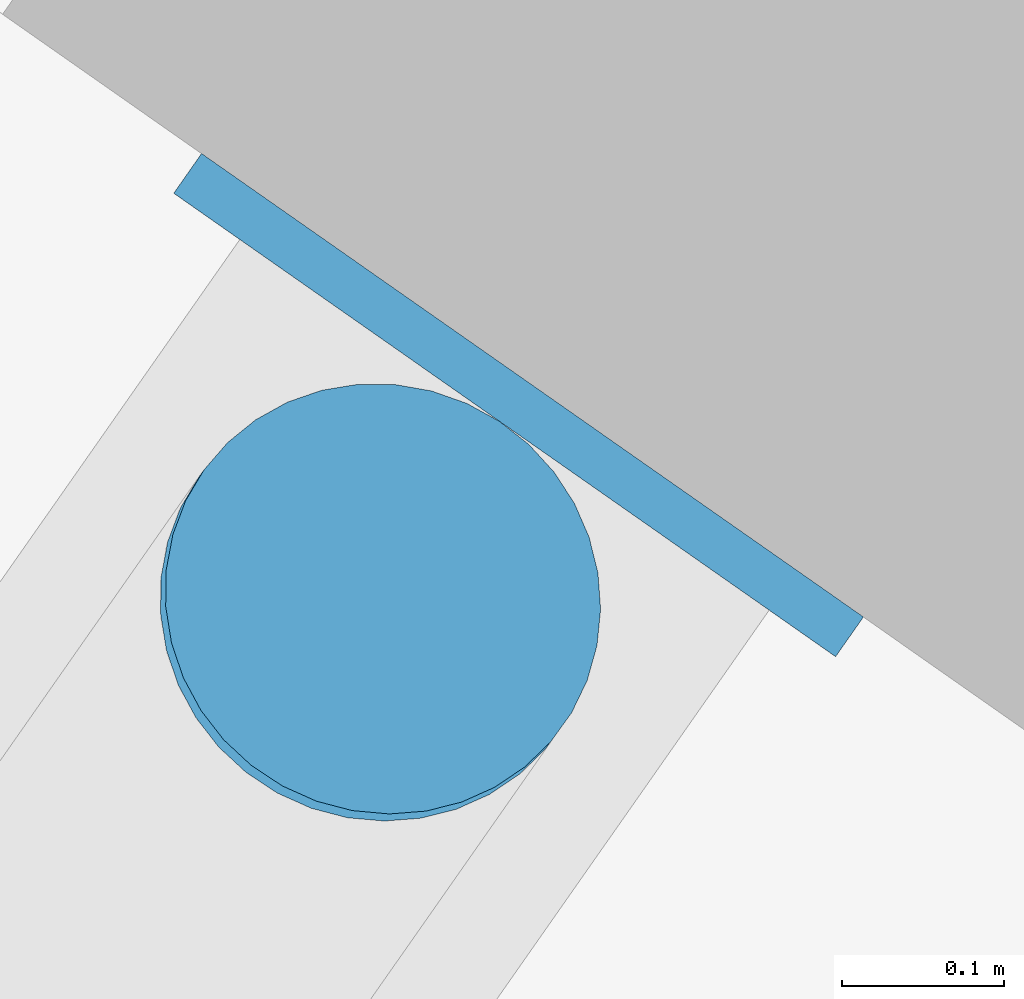
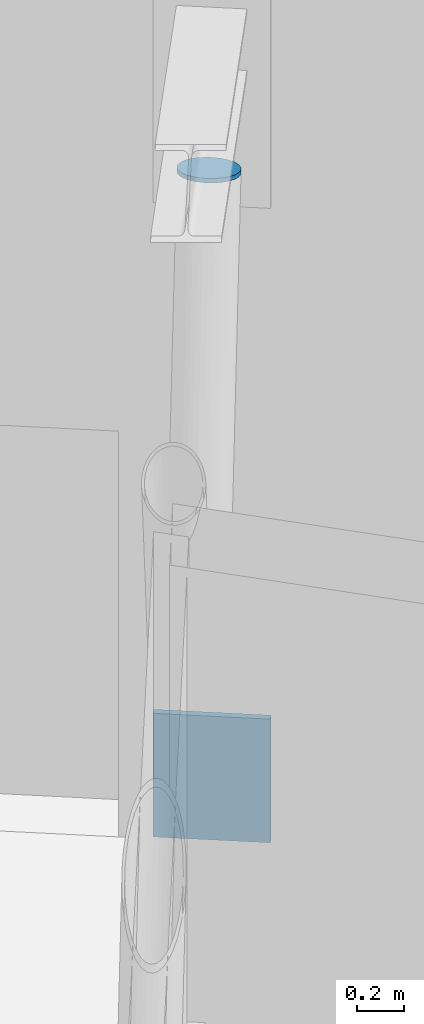
# One storey, part 11 of 16: 2 discrete accessories.
"""IFC4 building model written with IfcOpenShell, lengths in metres."""

from ifc_helpers import new_model, si_unit, direction, frame, origin, origin_2d, place, context, subcontext, project, spatial, rectangle, circle, extrude, material, layer, layer_set, material_profile, profile_set, type_object, element, save


model = new_model("IFC4")

# Units and contexts
model_context = context("Model", 3, precision=1e-05, world=origin(), true_north=direction((0.0, 1.0)))
body_context = subcontext(model_context, "Body", "Model", "MODEL_VIEW")
ifc_project = project(units=[si_unit("LENGTHUNIT", "METRE"), si_unit("AREAUNIT", "SQUARE_METRE"), si_unit("VOLUMEUNIT", "CUBIC_METRE"), si_unit("PLANEANGLEUNIT", "RADIAN"), si_unit("MASSUNIT", "GRAM", prefix="KILO")], contexts=[model_context])

# Site, building, storey
site_placement = place(None, origin())
site = spatial("IfcSite", under=ifc_project, at=site_placement, CompositionType="ELEMENT")
building_placement = place(site_placement, origin())
building = spatial("IfcBuilding", under=site, at=building_placement, Name="Tel Ilan Convention Tower", CompositionType="ELEMENT")
storey_placement = place(building_placement, frame((0.0, 0.0, 313.300048828125)))
storey = spatial("IfcBuildingStorey", under=building, at=storey_placement, Name="L74", CompositionType="ELEMENT", Elevation=313.300048828125)

# Discrete accessories
ifc_material_1 = material(Name="Steel S355", Category="steel")
ifc_layer = layer(ifc_material_1, 0.030029296875)
ifc_layer_set = layer_set([ifc_layer], Name="Cast-in Plate 30 mm Steel S355")
discrete_accessory_type_1 = type_object("IfcDiscreteAccessoryType", Name="Cast-in Plate 30 mm Steel S355", PredefinedType="ANCHORPLATE", material=ifc_layer_set)
discrete_accessory_1_placement = place(storey_placement, frame((6.790283203125, -5.99365234375, 0.02978515625), z_axis=(0.0, 0.0, 1.0), x_axis=(0.573576436351, 0.819152044289, 0.0)))
element("IfcDiscreteAccessory", 1, at=discrete_accessory_1_placement, inside=storey, type_object=discrete_accessory_type_1, Name="L74 E-F1 outrigger cast-in plate", PredefinedType="ANCHORPLATE", context=body_context, shape_type="SweptSolid", body=[
    extrude(rectangle(XDim=0.030029296875, YDim=0.5, at=origin_2d()), origin(), (0.0, 0.0, 1.0), 0.639892578125),
])
ifc_material_2 = material(Name="Steel S355", Category="steel")
ifc_material_profile = material_profile(ifc_material_2, circle(Radius=0.136474609375, at=origin_2d()), Name="End Cap Disc 273 mm Steel S355")
ifc_profile_set = profile_set([ifc_material_profile], Name="Steel S355")
discrete_accessory_type_2 = type_object("IfcDiscreteAccessoryType", Name="End Cap Disc 273 mm Steel S355", PredefinedType="BRACKET", material=ifc_profile_set)
discrete_accessory_2_placement = place(storey_placement, frame((6.703125, -6.117919921875, 3.58056640625), z_axis=(0.1584188281, 0.2193491466, 0.962699032299), x_axis=(-0.8106792284, 0.585490553844, 0.0)))
element("IfcDiscreteAccessory", 2, at=discrete_accessory_2_placement, inside=storey, type_object=discrete_accessory_type_2, Name="L74 E-F1 outrigger end cap", PredefinedType="BRACKET", context=body_context, shape_type="SweptSolid", body=[
    extrude(circle(Radius=0.136474609375, at=origin_2d()), origin(), (0.0, 0.0, 1.0), 0.02001953125),
])

save(model, "model.ifc")
